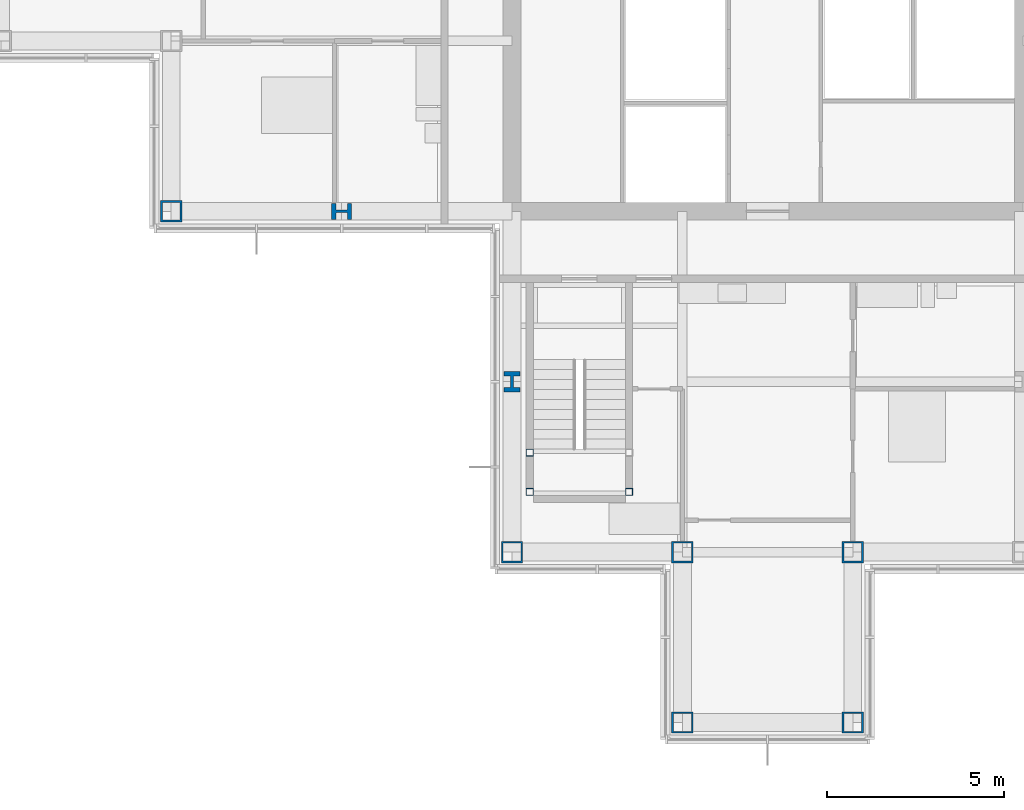
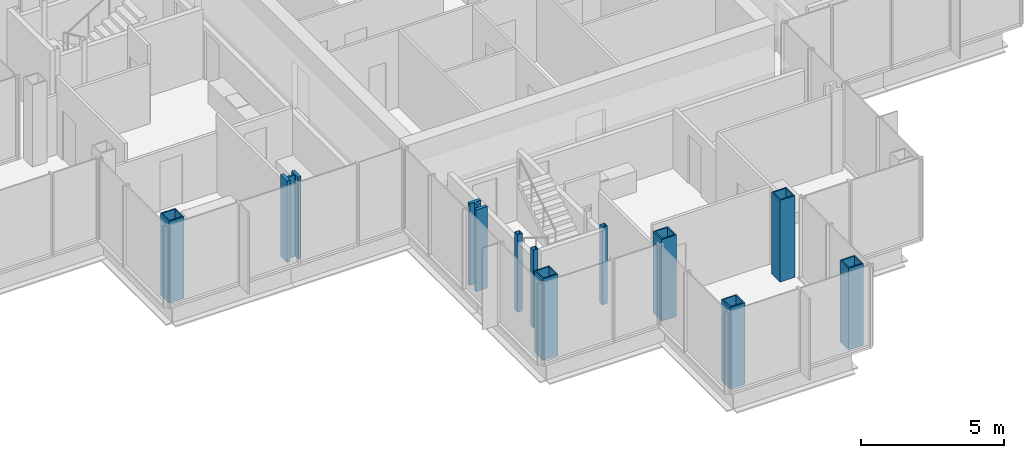
# One storey, part 1 of 15: 11 columns.
"""IFC4 building model written with IfcOpenShell, lengths in metres."""

from ifc_helpers import new_model, si_unit, direction, frame, origin, origin_2d, place, context, subcontext, project, spatial, hollow_rectangle, i_section, extrude, material, material_profile, profile_set, type_object, element, save


model = new_model("IFC4")

# Units and contexts
model_context = context("Model", 3, precision=1e-05, world=origin(), true_north=direction((0.0, 1.0)))
body_context = subcontext(model_context, "Body", "Model", "MODEL_VIEW")
ifc_project = project(units=[si_unit("LENGTHUNIT", "METRE"), si_unit("AREAUNIT", "SQUARE_METRE"), si_unit("VOLUMEUNIT", "CUBIC_METRE"), si_unit("PLANEANGLEUNIT", "RADIAN"), si_unit("MASSUNIT", "GRAM", prefix="KILO")], contexts=[model_context])

# Site, building, storey
site_placement = place(None, origin())
site = spatial("IfcSite", under=ifc_project, at=site_placement, CompositionType="ELEMENT")
building_placement = place(site_placement, origin())
building = spatial("IfcBuilding", under=site, at=building_placement, Name="Kvirike Care Tower", CompositionType="ELEMENT")
storey_placement = place(building_placement, frame((0.0, 0.0, 198.0)))
storey = spatial("IfcBuildingStorey", under=building, at=storey_placement, Name="L54", CompositionType="ELEMENT", Elevation=198.0)

# Columns
ifc_material_1 = material(Name="Steel S460", Category="steel")
ifc_material_profile_1 = material_profile(ifc_material_1, hollow_rectangle(XDim=0.60009765625, YDim=0.60009765625, WallThickness=0.050048828125, at=origin_2d()), Name="BX 600x600x50")
ifc_profile_set_1 = profile_set([ifc_material_profile_1], Name="Steel S460")
column_type_1 = type_object("IfcColumnType", Name="COLUMN BX 600x600x50", PredefinedType="COLUMN", material=ifc_profile_set_1)
for number, where, z_axis, x_axis, name in (
    (1, (4.800048828125, 28.800048828125, 0.0), (0.0, 0.0, 1.0), (0.0, 1.0, 0.0), "Column G4 L54"),
    (2, (14.39990234375, 19.199951171875, 0.0), (0.0, 0.0, 1.0), (0.0, 1.0, 0.0), "Column E6 L54"),
    (3, (19.199951171875, 14.39990234375, 0.0), (0.0, 0.0, 1.0), (0.0, 1.0, 0.0), "Column D7 L54"),
    (4, (19.199951171875, 19.199951171875, 0.0), (0.0, 0.0, 1.0), (0.0, 1.0, 0.0), "Column E7 L54"),
    (5, (24.0, 14.39990234375, 0.0), (0.0, 0.0, 1.0), (0.0, 1.0, 0.0), "Column D8 L54"),
    (6, (24.0, 19.199951171875, 0.0), (0.0, 0.0, 1.0), (0.0, 1.0, 0.0), "Column E8 L54"),
):
    element("IfcColumn", number, at=place(storey_placement, frame(where, z_axis=z_axis, x_axis=x_axis)), inside=storey, type_object=column_type_1, Name=name, PredefinedType="COLUMN", context=body_context, shape_type="SweptSolid", body=[
        extrude(hollow_rectangle(XDim=0.60009765625, YDim=0.60009765625, WallThickness=0.050048828125, at=origin_2d()), origin(), (0.0, 0.0, 1.0), 3.5),
    ])
ifc_material_2 = material(Name="Steel S460", Category="steel")
ifc_material_profile_2 = material_profile(ifc_material_2, i_section(OverallWidth=0.4541015625, OverallDepth=0.569091796875, WebThickness=0.077880859375, FlangeThickness=0.125, FilletRadius=0.014892578125, at=origin_2d()), Name="HD 400x1086")
ifc_profile_set_2 = profile_set([ifc_material_profile_2], Name="Steel S460")
column_type_2 = type_object("IfcColumnType", Name="COLUMN HD 400x1086", PredefinedType="COLUMN", material=ifc_profile_set_2)
for number, where, z_axis, x_axis, name in (
    (7, (9.60009765625, 28.800048828125, 0.0), (0.0, 0.0, 1.0), (0.0, 1.0, 0.0), "Column G5 L54"),
    (8, (14.39990234375, 24.0, 0.0), (0.0, 0.0, 1.0), (1.0, 0.0, 0.0), "Column F6 L54"),
):
    element("IfcColumn", number, at=place(storey_placement, frame(where, z_axis=z_axis, x_axis=x_axis)), inside=storey, type_object=column_type_2, Name=name, PredefinedType="COLUMN", context=body_context, shape_type="SweptSolid", body=[
        extrude(i_section(OverallWidth=0.4541015625, OverallDepth=0.569091796875, WebThickness=0.077880859375, FlangeThickness=0.125, FilletRadius=0.014892578125, at=origin_2d()), origin(), (0.0, 0.0, 1.0), 3.5),
    ])
ifc_material_3 = material(Name="Steel S460", Category="steel")
ifc_material_profile_3 = material_profile(ifc_material_3, hollow_rectangle(XDim=0.199951171875, YDim=0.199951171875, WallThickness=0.008056640625, at=origin_2d()), Name="SHS 200x200x8")
ifc_profile_set_3 = profile_set([ifc_material_profile_3], Name="Steel S460")
column_type_3 = type_object("IfcColumnType", Name="STAIR POST SHS 200x200x8", PredefinedType="COLUMN", material=ifc_profile_set_3)
for number, where, z_axis, x_axis, name in (
    (9, (14.89990234375, 20.89990234375, 0.0), (0.0, 0.0, 1.0), (1.0, 0.0, 0.0), "Stair 5 post 1 L54"),
    (10, (17.699951171875, 20.89990234375, 0.0), (0.0, 0.0, 1.0), (1.0, 0.0, 0.0), "Stair 5 post 2 L54"),
    (11, (14.89990234375, 22.0, 0.0), (0.0, 0.0, 1.0), (1.0, 0.0, 0.0), "Stair 5 post 3 L54"),
):
    element("IfcColumn", number, at=place(storey_placement, frame(where, z_axis=z_axis, x_axis=x_axis)), inside=storey, type_object=column_type_3, Name=name, PredefinedType="COLUMN", context=body_context, shape_type="SweptSolid", body=[
        extrude(hollow_rectangle(XDim=0.199951171875, YDim=0.199951171875, WallThickness=0.008056640625, at=origin_2d()), origin(), (0.0, 0.0, 1.0), 3.330078125),
    ])

save(model, "model.ifc")
